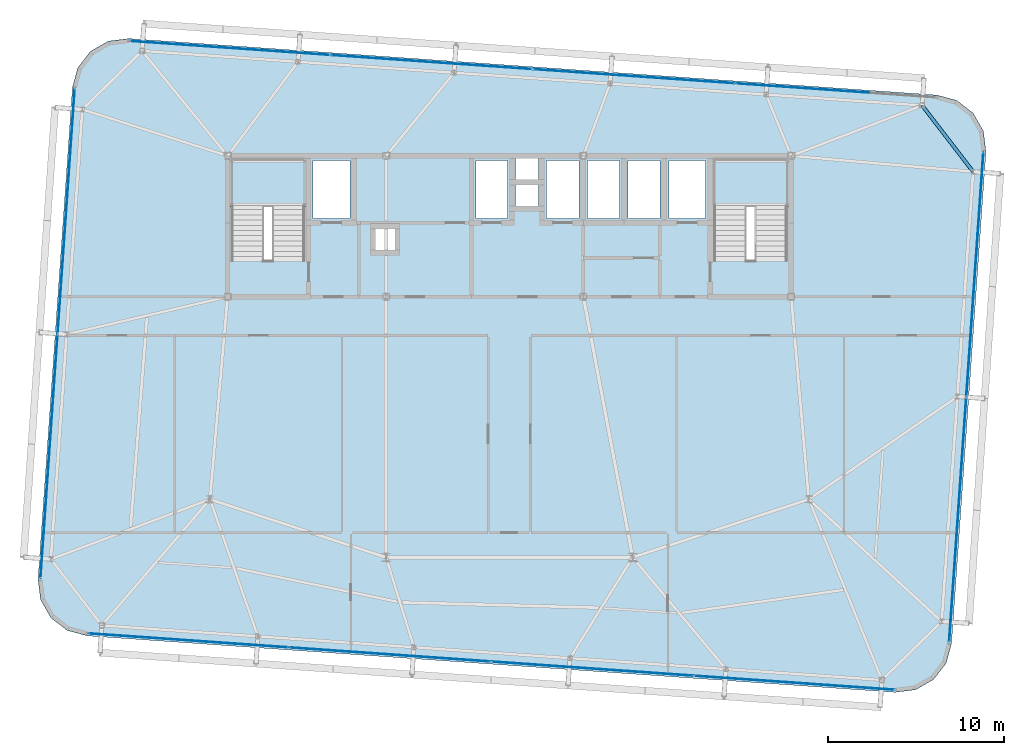
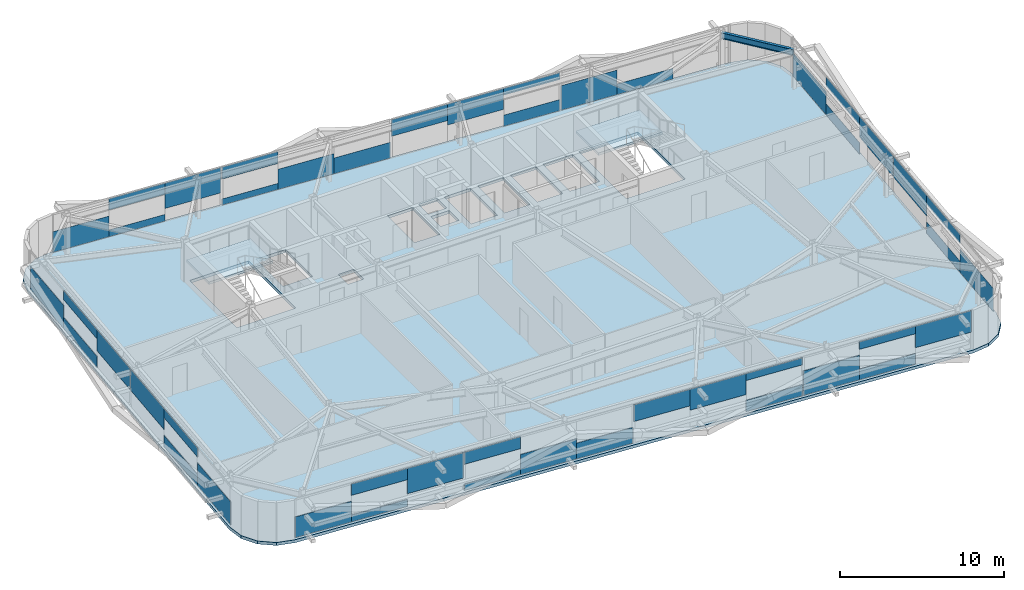
# One storey, part 25 of 39: 46 plates, 3 slabs, 1 beam, 6 elements without a shape of their own.
"""IFC4 building model written with IfcOpenShell, lengths in metres."""

from ifc_helpers import new_model, si_unit, direction, frame, origin, origin_2d, place, context, subcontext, project, spatial, polyline, rectangle, i_section, outline, extrude, source, transform, mapped, material, layer, layer_set, material_profile, profile_set, type_object, element, aggregate, save


model = new_model("IFC4")

# Units and contexts
model_context = context("Model", 3, precision=1e-05, world=origin(), true_north=direction((0.0, 1.0)))
body_context = subcontext(model_context, "Body", "Model", "MODEL_VIEW")
ifc_project = project(units=[si_unit("LENGTHUNIT", "METRE"), si_unit("AREAUNIT", "SQUARE_METRE"), si_unit("VOLUMEUNIT", "CUBIC_METRE"), si_unit("PLANEANGLEUNIT", "RADIAN"), si_unit("MASSUNIT", "GRAM", prefix="KILO")], contexts=[model_context])

# Site, building, storey
site_placement = place(None, origin())
site = spatial("IfcSite", under=ifc_project, at=site_placement, CompositionType="ELEMENT")
building_placement = place(site_placement, origin())
building = spatial("IfcBuilding", under=site, at=building_placement, Name="Taldren Reach Tower", CompositionType="ELEMENT")
storey_placement = place(building_placement, frame((0.0, 0.0, 129.85009765625)))
storey = spatial("IfcBuildingStorey", under=building, at=storey_placement, Name="L39", CompositionType="ELEMENT", Elevation=129.85009765625)

# Beam
ifc_material_1 = material(Name="Steel Gr 350 (350PLUS)", Category="steel")
ifc_material_profile = material_profile(ifc_material_1, i_section(OverallWidth=0.18994140625, OverallDepth=0.4541015625, WebThickness=0.008544921875, FlangeThickness=0.0126953125, at=origin_2d()), Name="460UB67.1")
ifc_profile_set = profile_set([ifc_material_profile], Name="Steel Gr 350 (350PLUS)")
beam_type = type_object("IfcBeamType", Name="SP-UB460B", PredefinedType="SPANDREL", material=ifc_profile_set)
shared_shape_1 = source(origin(), body_context, "Body", "SweptSolid", [
    extrude(i_section(OverallWidth=0.18994140625, OverallDepth=0.4541015625, WebThickness=0.008544921875, FlangeThickness=0.0126953125, at=origin_2d()), origin(), (0.0, 0.0, 1.0), 4.745849609375),
])
beam_placement = place(storey_placement, frame((61.3310546875, 31.1005859375, 2.702880859375), z_axis=(-0.609904656723, 0.792474800677, 0.0), x_axis=(-0.792474800677, -0.609904656723, 0.0)))
element("IfcBeam", 1, at=beam_placement, inside=storey, type_object=beam_type, Name="Perimeter spandrel B3 E3-N6 L39", PredefinedType="SPANDREL", context=body_context, shape_type="MappedRepresentation", body=[
    mapped(shared_shape_1, transform((0.0, 0.0, 0.0), scale=1.0)),
])

# Slab
ifc_material_2 = material(Name="Concrete N40 (40 MPa)", Category="concrete")
ifc_layer_1 = layer(ifc_material_2, 0.219970703125)
ifc_layer_set_1 = layer_set([ifc_layer_1], Name="Concrete N40 (40 MPa)")
slab_type_1 = type_object("IfcSlabType", Name="SL-FLR-220", PredefinedType="FLOOR", material=ifc_layer_set_1)
slab_1_placement = place(storey_placement, frame((0.0, 0.0, -0.22021484375)))
element("IfcSlab", 2, at=slab_1_placement, inside=storey, type_object=slab_type_1, Name="Suspended floor slab L39", PredefinedType="FLOOR", context=body_context, shape_type="SweptSolid", body=[
    extrude(outline(polyline([(56.908203125, 1.537109375), (58.0693359375, 1.684814453125), (59.08544921875, 2.265625), (59.80224609375, 3.191162109375), (60.110107421875, 4.320556640625), (62.063232421875, 32.252197265625), (61.91552734375, 33.413330078125), (61.334716796875, 34.4296875), (60.4091796875, 35.146240234375), (59.27978515625, 35.4541015625), (13.391845703125, 38.6630859375), (12.230712890625, 38.515380859375), (11.21435546875, 37.934326171875), (10.497802734375, 37.0087890625), (10.18994140625, 35.879638671875), (8.23681640625, 7.94775390625), (8.384521484375, 6.78662109375), (8.96533203125, 5.770263671875), (9.890869140625, 5.0537109375), (11.020263671875, 4.745849609375), (56.908203125, 1.537109375)]), holes=[polyline([(19.219970703125, 26.050048828125), (23.3798828125, 26.050048828125), (23.3798828125, 31.820068359375), (19.219970703125, 31.820068359375), (19.219970703125, 26.050048828125)]), polyline([(46.6201171875, 26.050048828125), (50.780029296875, 26.050048828125), (50.780029296875, 31.820068359375), (46.6201171875, 31.820068359375), (46.6201171875, 26.050048828125)]), polyline([(23.85009765625, 28.449951171875), (25.949951171875, 28.449951171875), (25.949951171875, 31.75), (23.85009765625, 31.75), (23.85009765625, 28.449951171875)]), polyline([(44.050048828125, 28.449951171875), (46.14990234375, 28.449951171875), (46.14990234375, 31.75), (44.050048828125, 31.75), (44.050048828125, 28.449951171875)]), polyline([(33.10009765625, 28.449951171875), (34.89990234375, 28.449951171875), (34.89990234375, 31.75), (33.10009765625, 31.75), (33.10009765625, 28.449951171875)]), polyline([(37.10009765625, 28.449951171875), (38.949951171875, 28.449951171875), (38.949951171875, 31.75), (37.10009765625, 31.75), (37.10009765625, 28.449951171875)]), polyline([(39.449951171875, 28.449951171875), (41.25, 28.449951171875), (41.25, 31.75), (39.449951171875, 31.75), (39.449951171875, 28.449951171875)]), polyline([(41.75, 28.449951171875), (43.550048828125, 28.449951171875), (43.550048828125, 31.75), (41.75, 31.75), (41.75, 28.449951171875)]), polyline([(35.35009765625, 30.64990234375), (36.64990234375, 30.64990234375), (36.64990234375, 31.85009765625), (35.35009765625, 31.85009765625), (35.35009765625, 30.64990234375)]), polyline([(35.35009765625, 29.14990234375), (36.64990234375, 29.14990234375), (36.64990234375, 30.35009765625), (35.35009765625, 30.35009765625), (35.35009765625, 29.14990234375)]), polyline([(27.39990234375, 26.64990234375), (28.5, 26.64990234375), (28.5, 27.85009765625), (27.39990234375, 27.85009765625), (27.39990234375, 26.64990234375)])]), origin(), (0.0, 0.0, 1.0), 0.22021484375),
])

# Stair, slab
ifc_material_3 = material(Name="Concrete S50 (50 MPa)", Category="concrete")
stair_type = type_object("IfcStairType", Name="ST-HT-315", PredefinedType="HALF_TURN_STAIR", material=ifc_material_3)
stair_1_placement = place(storey_placement, origin())
stair_1 = element("IfcStair", 3, at=stair_1_placement, inside=storey, type_object=stair_type, Name="Fire-isolated exit stair ST1 L39", PredefinedType="HALF_TURN_STAIR")
ifc_layer_2 = layer(ifc_material_3, 0.179931640625)
ifc_layer_set_2 = layer_set([ifc_layer_2], Name="Concrete S50 (50 MPa)")
slab_type_2 = type_object("IfcSlabType", Name="SL-LAND-180", PredefinedType="LANDING", material=ifc_layer_set_2)
slab_2_placement = place(storey_placement, frame((0.0, 0.0, 1.39501953125)))
slab_2 = element("IfcSlab", 4, at=slab_2_placement, type_object=slab_type_2, Name="ST1 landing 1", PredefinedType="LANDING", context=body_context, shape_type="SweptSolid", body=[
    extrude(outline(polyline([(19.0400390625, 29.135009765625), (23.56005859375, 29.135009765625), (23.56005859375, 31.8701171875), (19.0400390625, 31.8701171875), (19.0400390625, 29.135009765625)])), origin(), (0.0, 0.0, 1.0), 0.179931640625),
])
aggregate(stair_1, [slab_2])

stair_2_placement = place(storey_placement, origin())
stair_2 = element("IfcStair", 5, at=stair_2_placement, inside=storey, type_object=stair_type, Name="Fire-isolated exit stair ST2 L39", PredefinedType="HALF_TURN_STAIR")
slab_3_placement = place(storey_placement, frame((0.0, 0.0, 1.39501953125)))
slab_3 = element("IfcSlab", 6, at=slab_3_placement, type_object=slab_type_2, Name="ST2 landing 1", PredefinedType="LANDING", context=body_context, shape_type="SweptSolid", body=[
    extrude(outline(polyline([(46.43994140625, 29.135009765625), (50.9599609375, 29.135009765625), (50.9599609375, 31.8701171875), (46.43994140625, 31.8701171875), (46.43994140625, 29.135009765625)])), origin(), (0.0, 0.0, 1.0), 0.179931640625),
])
aggregate(stair_2, [slab_3])

# Curtain wall, plates
ifc_material_4 = material(Name="Aluminium and Low-E Glass Unitised System", Category="aluminium")
ifc_layer_3 = layer(ifc_material_4, 0.159912109375)
ifc_layer_set_3 = layer_set([ifc_layer_3], Name="Aluminium and Low-E Glass Unitised System")
curtain_wall_type = type_object("IfcCurtainWallType", Name="CW-SYS-4", PredefinedType="NOTDEFINED", material=ifc_layer_set_3)
curtain_wall_1_placement = place(storey_placement, origin())
curtain_wall_1 = element("IfcCurtainWall", 7, at=curtain_wall_1_placement, inside=storey, type_object=curtain_wall_type, Name="Unitised curtain wall CW-L39-S", PredefinedType="NOTDEFINED")
ifc_material_5 = material(Name="Solar-Control Double Glazed IGU", Category="glass")
ifc_layer_4 = layer(ifc_material_5, 0.031982421875)
ifc_layer_set_4 = layer_set([ifc_layer_4], Name="Solar-Control Double Glazed IGU")
plate_type = type_object("IfcPlateType", Name="CW-PNL-IGU32", PredefinedType="CURTAIN_PANEL", material=ifc_layer_set_4)
shared_shape_2 = source(origin(), body_context, "Body", "SweptSolid", [
    extrude(rectangle(XDim=3.79833984375, YDim=0.031982421875, at=origin_2d()), origin(), (0.0, 0.0, 1.0), 1.597900390625),
])
plate_1_placement = place(storey_placement, frame((54.95361328125, 1.81396484375, 1.27685546875), z_axis=(0.0, 0.0, 1.0), x_axis=(0.99756404731, -0.06975651593, 0.0)))
plate_1 = element("IfcPlate", 8, at=plate_1_placement, type_object=plate_type, Name="CW-4 panel 4.1 part 4", PredefinedType="CURTAIN_PANEL", context=body_context, shape_type="MappedRepresentation", body=[
    mapped(shared_shape_2, transform((0.0, 0.0, 0.0), scale=1.0)),
])
shared_shape_3 = source(origin(), body_context, "Body", "SweptSolid", [
    extrude(rectangle(XDim=3.79833984375, YDim=0.031982421875, at=origin_2d()), origin(), (0.0, 0.0, 1.0), 0.787109375),
])
plate_2_placement = place(storey_placement, frame((51.16455078125, 2.0791015625, 0.054931640625), z_axis=(0.0, 0.0, 1.0), x_axis=(0.99756404731, -0.06975651593, 0.0)))
plate_2 = element("IfcPlate", 9, at=plate_2_placement, type_object=plate_type, Name="CW-4 panel 4.1 part 2", PredefinedType="CURTAIN_PANEL", context=body_context, shape_type="MappedRepresentation", body=[
    mapped(shared_shape_3, transform((0.0, 0.0, 0.0), scale=1.0)),
])

# Curtain wall, plate
curtain_wall_2_placement = place(storey_placement, origin())
curtain_wall_2 = element("IfcCurtainWall", 10, at=curtain_wall_2_placement, inside=storey, type_object=curtain_wall_type, Name="Unitised curtain wall CW-L39-N", PredefinedType="NOTDEFINED")
plate_3_placement = place(storey_placement, frame((53.5166015625, 35.716796875, 0.054931640625), z_axis=(0.0, 0.0, 1.0), x_axis=(-0.99756404731, 0.06975651593, 0.0)))
plate_3 = element("IfcPlate", 11, at=plate_3_placement, type_object=plate_type, Name="CW-4 panel 1.1 part 2", PredefinedType="CURTAIN_PANEL", context=body_context, shape_type="MappedRepresentation", body=[
    mapped(shared_shape_3, transform((0.0, 0.0, 0.0), scale=1.0)),
])

# Plate
shared_shape_4 = source(origin(), body_context, "Body", "SweptSolid", [
    extrude(rectangle(XDim=3.79833984375, YDim=0.031982421875, at=origin_2d()), origin(), (0.0, 0.0, 1.0), 0.558349609375),
])
plate_4_placement = place(storey_placement, frame((51.16455078125, 2.0791015625, 2.31640625), z_axis=(0.0, 0.0, 1.0), x_axis=(0.99756404731, -0.06975651593, 0.0)))
plate_4 = element("IfcPlate", 12, at=plate_4_placement, type_object=plate_type, Name="CW-4 panel 4.1 part 3", PredefinedType="CURTAIN_PANEL", context=body_context, shape_type="MappedRepresentation", body=[
    mapped(shared_shape_4, transform((0.0, 0.0, 0.0), scale=1.0)),
])

shared_shape_5 = source(origin(), body_context, "Body", "SweptSolid", [
    extrude(rectangle(XDim=3.79833984375, YDim=0.031982421875, at=origin_2d()), origin(), (0.0, 0.0, 1.0), 1.826416015625),
])
plate_5_placement = place(storey_placement, frame((47.375244140625, 2.343994140625, 0.05517578125), z_axis=(0.0, 0.0, 1.0), x_axis=(0.99756404731, -0.06975651593, 0.0)))
plate_5 = element("IfcPlate", 13, at=plate_5_placement, type_object=plate_type, Name="CW-4 panel 4.1 part 1", PredefinedType="CURTAIN_PANEL", context=body_context, shape_type="MappedRepresentation", body=[
    mapped(shared_shape_5, transform((0.0, 0.0, 0.0), scale=1.0)),
])

plate_6_placement = place(storey_placement, frame((49.7275390625, 35.981689453125, 0.05517578125), z_axis=(0.0, 0.0, 1.0), x_axis=(-0.99756404731, 0.06975651593, 0.0)))
plate_6 = element("IfcPlate", 14, at=plate_6_placement, type_object=plate_type, Name="CW-4 panel 1.1 part 4", PredefinedType="CURTAIN_PANEL", context=body_context, shape_type="MappedRepresentation", body=[
    mapped(shared_shape_5, transform((0.0, 0.0, 0.0), scale=1.0)),
])

shared_shape_6 = source(origin(), body_context, "Body", "SweptSolid", [
    extrude(rectangle(XDim=3.81005859375, YDim=0.031982421875, at=origin_2d()), origin(), (0.0, 0.0, 1.0), 0.8271484375),
])
plate_7_placement = place(storey_placement, frame((43.510498046875, 2.6142578125, 0.054931640625), z_axis=(0.0, 0.0, 1.0), x_axis=(0.99756404731, -0.06975651593, 0.0)))
plate_7 = element("IfcPlate", 15, at=plate_7_placement, type_object=plate_type, Name="CW-4 panel 3.1 part 3", PredefinedType="CURTAIN_PANEL", context=body_context, shape_type="MappedRepresentation", body=[
    mapped(shared_shape_6, transform((0.0, 0.0, 0.0), scale=1.0)),
])

plate_8_placement = place(storey_placement, frame((45.86279296875, 36.251953125, 0.054931640625), z_axis=(0.0, 0.0, 1.0), x_axis=(-0.99756404731, 0.06975651593, 0.0)))
plate_8 = element("IfcPlate", 16, at=plate_8_placement, type_object=plate_type, Name="CW-4 panel 2.1 part 1", PredefinedType="CURTAIN_PANEL", context=body_context, shape_type="MappedRepresentation", body=[
    mapped(shared_shape_6, transform((0.0, 0.0, 0.0), scale=1.0)),
])

shared_shape_7 = source(origin(), body_context, "Body", "SweptSolid", [
    extrude(rectangle(XDim=3.81005859375, YDim=0.031982421875, at=origin_2d()), origin(), (0.0, 0.0, 1.0), 0.51513671875),
])
plate_9_placement = place(storey_placement, frame((43.510498046875, 2.6142578125, 2.35986328125), z_axis=(0.0, 0.0, 1.0), x_axis=(0.99756404731, -0.06975651593, 0.0)))
plate_9 = element("IfcPlate", 17, at=plate_9_placement, type_object=plate_type, Name="CW-4 panel 3.1 part 4", PredefinedType="CURTAIN_PANEL", context=body_context, shape_type="MappedRepresentation", body=[
    mapped(shared_shape_7, transform((0.0, 0.0, 0.0), scale=1.0)),
])

plate_10_placement = place(storey_placement, frame((45.86279296875, 36.251953125, 2.35986328125), z_axis=(0.0, 0.0, 1.0), x_axis=(-0.99756404731, 0.06975651593, 0.0)))
plate_10 = element("IfcPlate", 18, at=plate_10_placement, type_object=plate_type, Name="CW-4 panel 2.1 part 2", PredefinedType="CURTAIN_PANEL", context=body_context, shape_type="MappedRepresentation", body=[
    mapped(shared_shape_7, transform((0.0, 0.0, 0.0), scale=1.0)),
])

shared_shape_8 = source(origin(), body_context, "Body", "SweptSolid", [
    extrude(rectangle(XDim=3.81005859375, YDim=0.031982421875, at=origin_2d()), origin(), (0.0, 0.0, 1.0), 1.5576171875),
])
plate_11_placement = place(storey_placement, frame((39.7099609375, 2.8798828125, 1.317138671875), z_axis=(0.0, 0.0, 1.0), x_axis=(0.99756404731, -0.06975651593, 0.0)))
plate_11 = element("IfcPlate", 19, at=plate_11_placement, type_object=plate_type, Name="CW-4 panel 3.1 part 2", PredefinedType="CURTAIN_PANEL", context=body_context, shape_type="MappedRepresentation", body=[
    mapped(shared_shape_8, transform((0.0, 0.0, 0.0), scale=1.0)),
])

plate_12_placement = place(storey_placement, frame((42.06201171875, 36.517822265625, 1.317138671875), z_axis=(0.0, 0.0, 1.0), x_axis=(-0.99756404731, 0.06975651593, 0.0)))
plate_12 = element("IfcPlate", 20, at=plate_12_placement, type_object=plate_type, Name="CW-4 panel 2.1 part 3", PredefinedType="CURTAIN_PANEL", context=body_context, shape_type="MappedRepresentation", body=[
    mapped(shared_shape_8, transform((0.0, 0.0, 0.0), scale=1.0)),
])

shared_shape_9 = source(origin(), body_context, "Body", "SweptSolid", [
    extrude(rectangle(XDim=3.81005859375, YDim=0.031982421875, at=origin_2d()), origin(), (0.0, 0.0, 1.0), 1.23193359375),
])
plate_13_placement = place(storey_placement, frame((35.9091796875, 3.145751953125, 1.642822265625), z_axis=(0.0, 0.0, 1.0), x_axis=(0.99756404731, -0.06975651593, 0.0)))
plate_13 = element("IfcPlate", 21, at=plate_13_placement, type_object=plate_type, Name="CW-4 panel 3.1 part 1", PredefinedType="CURTAIN_PANEL", context=body_context, shape_type="MappedRepresentation", body=[
    mapped(shared_shape_9, transform((0.0, 0.0, 0.0), scale=1.0)),
])

plate_14_placement = place(storey_placement, frame((38.261474609375, 36.78369140625, 1.642822265625), z_axis=(0.0, 0.0, 1.0), x_axis=(-0.99756404731, 0.06975651593, 0.0)))
plate_14 = element("IfcPlate", 22, at=plate_14_placement, type_object=plate_type, Name="CW-4 panel 2.1 part 4", PredefinedType="CURTAIN_PANEL", context=body_context, shape_type="MappedRepresentation", body=[
    mapped(shared_shape_9, transform((0.0, 0.0, 0.0), scale=1.0)),
])

shared_shape_10 = source(origin(), body_context, "Body", "SweptSolid", [
    extrude(rectangle(XDim=3.81005859375, YDim=0.031982421875, at=origin_2d()), origin(), (0.0, 0.0, 1.0), 1.172119140625),
])
plate_15_placement = place(storey_placement, frame((32.03857421875, 3.41650390625, 0.0546875), z_axis=(0.0, 0.0, 1.0), x_axis=(0.99756404731, -0.06975651593, 0.0)))
plate_15 = element("IfcPlate", 23, at=plate_15_placement, type_object=plate_type, Name="CW-4 panel 2.1 part 4", PredefinedType="CURTAIN_PANEL", context=body_context, shape_type="MappedRepresentation", body=[
    mapped(shared_shape_10, transform((0.0, 0.0, 0.0), scale=1.0)),
])

plate_16_placement = place(storey_placement, frame((34.390869140625, 37.05419921875, 0.0546875), z_axis=(0.0, 0.0, 1.0), x_axis=(-0.99756404731, 0.06975651593, 0.0)))
plate_16 = element("IfcPlate", 24, at=plate_16_placement, type_object=plate_type, Name="CW-4 panel 3.1 part 1", PredefinedType="CURTAIN_PANEL", context=body_context, shape_type="MappedRepresentation", body=[
    mapped(shared_shape_10, transform((0.0, 0.0, 0.0), scale=1.0)),
])

shared_shape_11 = source(origin(), body_context, "Body", "SweptSolid", [
    extrude(rectangle(XDim=3.81005859375, YDim=0.031982421875, at=origin_2d()), origin(), (0.0, 0.0, 1.0), 1.497802734375),
])
plate_17_placement = place(storey_placement, frame((28.23779296875, 3.68212890625, 0.0546875), z_axis=(0.0, 0.0, 1.0), x_axis=(0.99756404731, -0.06975651593, 0.0)))
plate_17 = element("IfcPlate", 25, at=plate_17_placement, type_object=plate_type, Name="CW-4 panel 2.1 part 3", PredefinedType="CURTAIN_PANEL", context=body_context, shape_type="MappedRepresentation", body=[
    mapped(shared_shape_11, transform((0.0, 0.0, 0.0), scale=1.0)),
])

plate_18_placement = place(storey_placement, frame((30.590087890625, 37.320068359375, 0.0546875), z_axis=(0.0, 0.0, 1.0), x_axis=(-0.99756404731, 0.06975651593, 0.0)))
plate_18 = element("IfcPlate", 26, at=plate_18_placement, type_object=plate_type, Name="CW-4 panel 3.1 part 2", PredefinedType="CURTAIN_PANEL", context=body_context, shape_type="MappedRepresentation", body=[
    mapped(shared_shape_11, transform((0.0, 0.0, 0.0), scale=1.0)),
])

shared_shape_12 = source(origin(), body_context, "Body", "SweptSolid", [
    extrude(rectangle(XDim=3.81005859375, YDim=0.031982421875, at=origin_2d()), origin(), (0.0, 0.0, 1.0), 0.455078125),
])
plate_19_placement = place(storey_placement, frame((24.437255859375, 3.947998046875, 0.054931640625), z_axis=(0.0, 0.0, 1.0), x_axis=(0.99756404731, -0.06975651593, 0.0)))
plate_19 = element("IfcPlate", 27, at=plate_19_placement, type_object=plate_type, Name="CW-4 panel 2.1 part 1", PredefinedType="CURTAIN_PANEL", context=body_context, shape_type="MappedRepresentation", body=[
    mapped(shared_shape_12, transform((0.0, 0.0, 0.0), scale=1.0)),
])

plate_20_placement = place(storey_placement, frame((26.789306640625, 37.585693359375, 0.054931640625), z_axis=(0.0, 0.0, 1.0), x_axis=(-0.99756404731, 0.06975651593, 0.0)))
plate_20 = element("IfcPlate", 28, at=plate_20_placement, type_object=plate_type, Name="CW-4 panel 3.1 part 3", PredefinedType="CURTAIN_PANEL", context=body_context, shape_type="MappedRepresentation", body=[
    mapped(shared_shape_12, transform((0.0, 0.0, 0.0), scale=1.0)),
])

shared_shape_13 = source(origin(), body_context, "Body", "SweptSolid", [
    extrude(rectangle(XDim=3.81005859375, YDim=0.031982421875, at=origin_2d()), origin(), (0.0, 0.0, 1.0), 0.88720703125),
])
plate_21_placement = place(storey_placement, frame((24.437255859375, 3.947998046875, 1.98779296875), z_axis=(0.0, 0.0, 1.0), x_axis=(0.99756404731, -0.06975651593, 0.0)))
plate_21 = element("IfcPlate", 29, at=plate_21_placement, type_object=plate_type, Name="CW-4 panel 2.1 part 2", PredefinedType="CURTAIN_PANEL", context=body_context, shape_type="MappedRepresentation", body=[
    mapped(shared_shape_13, transform((0.0, 0.0, 0.0), scale=1.0)),
])

plate_22_placement = place(storey_placement, frame((26.789306640625, 37.585693359375, 1.98779296875), z_axis=(0.0, 0.0, 1.0), x_axis=(-0.99756404731, 0.06975651593, 0.0)))
plate_22 = element("IfcPlate", 30, at=plate_22_placement, type_object=plate_type, Name="CW-4 panel 3.1 part 4", PredefinedType="CURTAIN_PANEL", context=body_context, shape_type="MappedRepresentation", body=[
    mapped(shared_shape_13, transform((0.0, 0.0, 0.0), scale=1.0)),
])

shared_shape_14 = source(origin(), body_context, "Body", "SweptSolid", [
    extrude(rectangle(XDim=3.79833984375, YDim=0.031982421875, at=origin_2d()), origin(), (0.0, 0.0, 1.0), 1.886474609375),
])
plate_23_placement = place(storey_placement, frame((20.572509765625, 4.21826171875, 0.98828125), z_axis=(0.0, 0.0, 1.0), x_axis=(0.99756404731, -0.06975651593, 0.0)))
plate_23 = element("IfcPlate", 31, at=plate_23_placement, type_object=plate_type, Name="CW-4 panel 1.1 part 4", PredefinedType="CURTAIN_PANEL", context=body_context, shape_type="MappedRepresentation", body=[
    mapped(shared_shape_14, transform((0.0, 0.0, 0.0), scale=1.0)),
])

plate_24_placement = place(storey_placement, frame((22.924560546875, 37.85595703125, 0.98828125), z_axis=(0.0, 0.0, 1.0), x_axis=(-0.99756404731, 0.06975651593, 0.0)))
plate_24 = element("IfcPlate", 32, at=plate_24_placement, type_object=plate_type, Name="CW-4 panel 4.1 part 1", PredefinedType="CURTAIN_PANEL", context=body_context, shape_type="MappedRepresentation", body=[
    mapped(shared_shape_14, transform((0.0, 0.0, 0.0), scale=1.0)),
])

shared_shape_15 = source(origin(), body_context, "Body", "SweptSolid", [
    extrude(rectangle(XDim=3.79833984375, YDim=0.031982421875, at=origin_2d()), origin(), (0.0, 0.0, 1.0), 0.498291015625),
])
plate_25_placement = place(storey_placement, frame((16.783447265625, 4.483154296875, 0.05517578125), z_axis=(0.0, 0.0, 1.0), x_axis=(0.99756404731, -0.06975651593, 0.0)))
plate_25 = element("IfcPlate", 33, at=plate_25_placement, type_object=plate_type, Name="CW-4 panel 1.1 part 2", PredefinedType="CURTAIN_PANEL", context=body_context, shape_type="MappedRepresentation", body=[
    mapped(shared_shape_15, transform((0.0, 0.0, 0.0), scale=1.0)),
])

plate_26_placement = place(storey_placement, frame((19.135498046875, 38.12109375, 0.05517578125), z_axis=(0.0, 0.0, 1.0), x_axis=(-0.99756404731, 0.06975651593, 0.0)))
plate_26 = element("IfcPlate", 34, at=plate_26_placement, type_object=plate_type, Name="CW-4 panel 4.1 part 2", PredefinedType="CURTAIN_PANEL", context=body_context, shape_type="MappedRepresentation", body=[
    mapped(shared_shape_15, transform((0.0, 0.0, 0.0), scale=1.0)),
])

shared_shape_16 = source(origin(), body_context, "Body", "SweptSolid", [
    extrude(rectangle(XDim=3.79833984375, YDim=0.031982421875, at=origin_2d()), origin(), (0.0, 0.0, 1.0), 0.84716796875),
])
plate_27_placement = place(storey_placement, frame((16.783447265625, 4.483154296875, 2.02783203125), z_axis=(0.0, 0.0, 1.0), x_axis=(0.99756404731, -0.06975651593, 0.0)))
plate_27 = element("IfcPlate", 35, at=plate_27_placement, type_object=plate_type, Name="CW-4 panel 1.1 part 3", PredefinedType="CURTAIN_PANEL", context=body_context, shape_type="MappedRepresentation", body=[
    mapped(shared_shape_16, transform((0.0, 0.0, 0.0), scale=1.0)),
])

plate_28_placement = place(storey_placement, frame((19.135498046875, 38.12109375, 2.02783203125), z_axis=(0.0, 0.0, 1.0), x_axis=(-0.99756404731, 0.06975651593, 0.0)))
plate_28 = element("IfcPlate", 36, at=plate_28_placement, type_object=plate_type, Name="CW-4 panel 4.1 part 3", PredefinedType="CURTAIN_PANEL", context=body_context, shape_type="MappedRepresentation", body=[
    mapped(shared_shape_16, transform((0.0, 0.0, 0.0), scale=1.0)),
])

shared_shape_17 = source(origin(), body_context, "Body", "SweptSolid", [
    extrude(rectangle(XDim=3.79833984375, YDim=0.031982421875, at=origin_2d()), origin(), (0.0, 0.0, 1.0), 1.537841796875),
])
plate_29_placement = place(storey_placement, frame((12.994384765625, 4.748046875, 0.0546875), z_axis=(0.0, 0.0, 1.0), x_axis=(0.99756404731, -0.06975651593, 0.0)))
plate_29 = element("IfcPlate", 37, at=plate_29_placement, type_object=plate_type, Name="CW-4 panel 1.1 part 1", PredefinedType="CURTAIN_PANEL", context=body_context, shape_type="MappedRepresentation", body=[
    mapped(shared_shape_17, transform((0.0, 0.0, 0.0), scale=1.0)),
])

aggregate(curtain_wall_1, [plate_29, plate_25, plate_27, plate_23, plate_19, plate_21, plate_17, plate_15, plate_13, plate_11, plate_7, plate_9, plate_5, plate_2, plate_4, plate_1])

plate_30_placement = place(storey_placement, frame((15.346435546875, 38.385986328125, 0.0546875), z_axis=(0.0, 0.0, 1.0), x_axis=(-0.99756404731, 0.06975651593, 0.0)))
plate_30 = element("IfcPlate", 38, at=plate_30_placement, type_object=plate_type, Name="CW-4 panel 4.1 part 4", PredefinedType="CURTAIN_PANEL", context=body_context, shape_type="MappedRepresentation", body=[
    mapped(shared_shape_17, transform((0.0, 0.0, 0.0), scale=1.0)),
])

aggregate(curtain_wall_2, [plate_3, plate_6, plate_8, plate_10, plate_12, plate_14, plate_16, plate_18, plate_20, plate_22, plate_24, plate_26, plate_28, plate_30])

# Curtain wall, plates
curtain_wall_3_placement = place(storey_placement, origin())
curtain_wall_3 = element("IfcCurtainWall", 39, at=curtain_wall_3_placement, inside=storey, type_object=curtain_wall_type, Name="Unitised curtain wall CW-L39-W", PredefinedType="NOTDEFINED")
shared_shape_18 = source(origin(), body_context, "Body", "SweptSolid", [
    extrude(rectangle(XDim=4.631591796875, YDim=0.031982421875, at=origin_2d()), origin(), (0.0, 0.0, 1.0), 1.716552734375),
])
plate_31_placement = place(storey_placement, frame((10.1630859375, 33.48974609375, 0.0546875), z_axis=(0.0, 0.0, 1.0), x_axis=(-0.069756437251, -0.997564052812, 0.0)))
plate_31 = element("IfcPlate", 40, at=plate_31_placement, type_object=plate_type, Name="CW-4 panel 1.1 part 1", PredefinedType="CURTAIN_PANEL", context=body_context, shape_type="MappedRepresentation", body=[
    mapped(shared_shape_18, transform((0.0, 0.0, 0.0), scale=1.0)),
])
plate_32_placement = place(storey_placement, frame((8.542724609375, 10.318115234375, 0.0546875), z_axis=(0.0, 0.0, 1.0), x_axis=(-0.069756437251, -0.997564052812, 0.0)))
plate_32 = element("IfcPlate", 41, at=plate_32_placement, type_object=plate_type, Name="CW-4 panel 2.1 part 4", PredefinedType="CURTAIN_PANEL", context=body_context, shape_type="MappedRepresentation", body=[
    mapped(shared_shape_18, transform((0.0, 0.0, 0.0), scale=1.0)),
])

curtain_wall_4_placement = place(storey_placement, origin())
curtain_wall_4 = element("IfcCurtainWall", 42, at=curtain_wall_4_placement, inside=storey, type_object=curtain_wall_type, Name="Unitised curtain wall CW-L39-E", PredefinedType="NOTDEFINED")
plate_33_placement = place(storey_placement, frame((60.136962890625, 6.710205078125, 0.0546875), z_axis=(0.0, 0.0, 1.0), x_axis=(0.069756437251, 0.997564052812, 0.0)))
plate_33 = element("IfcPlate", 43, at=plate_33_placement, type_object=plate_type, Name="CW-4 panel 1.1 part 1", PredefinedType="CURTAIN_PANEL", context=body_context, shape_type="MappedRepresentation", body=[
    mapped(shared_shape_18, transform((0.0, 0.0, 0.0), scale=1.0)),
])
plate_34_placement = place(storey_placement, frame((61.757080078125, 29.882080078125, 0.0546875), z_axis=(0.0, 0.0, 1.0), x_axis=(0.069756437251, 0.997564052812, 0.0)))
plate_34 = element("IfcPlate", 44, at=plate_34_placement, type_object=plate_type, Name="CW-4 panel 2.1 part 4", PredefinedType="CURTAIN_PANEL", context=body_context, shape_type="MappedRepresentation", body=[
    mapped(shared_shape_18, transform((0.0, 0.0, 0.0), scale=1.0)),
])

# Plate
shared_shape_19 = source(origin(), body_context, "Body", "SweptSolid", [
    extrude(rectangle(XDim=4.631591796875, YDim=0.031982421875, at=origin_2d()), origin(), (0.0, 0.0, 1.0), 0.837158203125),
])
plate_35_placement = place(storey_placement, frame((9.840087890625, 28.869384765625, 0.05517578125), z_axis=(0.0, 0.0, 1.0), x_axis=(-0.069756437251, -0.997564052812, 0.0)))
plate_35 = element("IfcPlate", 45, at=plate_35_placement, type_object=plate_type, Name="CW-4 panel 1.1 part 2", PredefinedType="CURTAIN_PANEL", context=body_context, shape_type="MappedRepresentation", body=[
    mapped(shared_shape_19, transform((0.0, 0.0, 0.0), scale=1.0)),
])

plate_36_placement = place(storey_placement, frame((8.865966796875, 14.9384765625, 0.05517578125), z_axis=(0.0, 0.0, 1.0), x_axis=(-0.069756437251, -0.997564052812, 0.0)))
plate_36 = element("IfcPlate", 46, at=plate_36_placement, type_object=plate_type, Name="CW-4 panel 2.1 part 2", PredefinedType="CURTAIN_PANEL", context=body_context, shape_type="MappedRepresentation", body=[
    mapped(shared_shape_19, transform((0.0, 0.0, 0.0), scale=1.0)),
])

plate_37_placement = place(storey_placement, frame((60.4599609375, 11.33056640625, 0.05517578125), z_axis=(0.0, 0.0, 1.0), x_axis=(0.069756437251, 0.997564052812, 0.0)))
plate_37 = element("IfcPlate", 47, at=plate_37_placement, type_object=plate_type, Name="CW-4 panel 1.1 part 2", PredefinedType="CURTAIN_PANEL", context=body_context, shape_type="MappedRepresentation", body=[
    mapped(shared_shape_19, transform((0.0, 0.0, 0.0), scale=1.0)),
])

plate_38_placement = place(storey_placement, frame((61.43408203125, 25.261474609375, 0.05517578125), z_axis=(0.0, 0.0, 1.0), x_axis=(0.069756437251, 0.997564052812, 0.0)))
plate_38 = element("IfcPlate", 48, at=plate_38_placement, type_object=plate_type, Name="CW-4 panel 2.1 part 2", PredefinedType="CURTAIN_PANEL", context=body_context, shape_type="MappedRepresentation", body=[
    mapped(shared_shape_19, transform((0.0, 0.0, 0.0), scale=1.0)),
])

shared_shape_20 = source(origin(), body_context, "Body", "SweptSolid", [
    extrude(rectangle(XDim=4.631591796875, YDim=0.031982421875, at=origin_2d()), origin(), (0.0, 0.0, 1.0), 0.676025390625),
])
plate_39_placement = place(storey_placement, frame((9.840087890625, 28.869384765625, 2.19873046875), z_axis=(0.0, 0.0, 1.0), x_axis=(-0.069756437251, -0.997564052812, 0.0)))
plate_39 = element("IfcPlate", 49, at=plate_39_placement, type_object=plate_type, Name="CW-4 panel 1.1 part 3", PredefinedType="CURTAIN_PANEL", context=body_context, shape_type="MappedRepresentation", body=[
    mapped(shared_shape_20, transform((0.0, 0.0, 0.0), scale=1.0)),
])

plate_40_placement = place(storey_placement, frame((8.865966796875, 14.9384765625, 2.19873046875), z_axis=(0.0, 0.0, 1.0), x_axis=(-0.069756437251, -0.997564052812, 0.0)))
plate_40 = element("IfcPlate", 50, at=plate_40_placement, type_object=plate_type, Name="CW-4 panel 2.1 part 3", PredefinedType="CURTAIN_PANEL", context=body_context, shape_type="MappedRepresentation", body=[
    mapped(shared_shape_20, transform((0.0, 0.0, 0.0), scale=1.0)),
])

plate_41_placement = place(storey_placement, frame((60.4599609375, 11.33056640625, 2.19873046875), z_axis=(0.0, 0.0, 1.0), x_axis=(0.069756437251, 0.997564052812, 0.0)))
plate_41 = element("IfcPlate", 51, at=plate_41_placement, type_object=plate_type, Name="CW-4 panel 1.1 part 3", PredefinedType="CURTAIN_PANEL", context=body_context, shape_type="MappedRepresentation", body=[
    mapped(shared_shape_20, transform((0.0, 0.0, 0.0), scale=1.0)),
])

plate_42_placement = place(storey_placement, frame((61.43408203125, 25.261474609375, 2.19873046875), z_axis=(0.0, 0.0, 1.0), x_axis=(0.069756437251, 0.997564052812, 0.0)))
plate_42 = element("IfcPlate", 52, at=plate_42_placement, type_object=plate_type, Name="CW-4 panel 2.1 part 3", PredefinedType="CURTAIN_PANEL", context=body_context, shape_type="MappedRepresentation", body=[
    mapped(shared_shape_20, transform((0.0, 0.0, 0.0), scale=1.0)),
])

shared_shape_21 = source(origin(), body_context, "Body", "SweptSolid", [
    extrude(rectangle(XDim=4.631591796875, YDim=0.031982421875, at=origin_2d()), origin(), (0.0, 0.0, 1.0), 1.555419921875),
])
plate_43_placement = place(storey_placement, frame((9.51708984375, 24.2490234375, 1.3193359375), z_axis=(0.0, 0.0, 1.0), x_axis=(-0.069756437251, -0.997564052812, 0.0)))
plate_43 = element("IfcPlate", 53, at=plate_43_placement, type_object=plate_type, Name="CW-4 panel 1.1 part 4", PredefinedType="CURTAIN_PANEL", context=body_context, shape_type="MappedRepresentation", body=[
    mapped(shared_shape_21, transform((0.0, 0.0, 0.0), scale=1.0)),
])

plate_44_placement = place(storey_placement, frame((9.18896484375, 19.558837890625, 1.3193359375), z_axis=(0.0, 0.0, 1.0), x_axis=(-0.069756437251, -0.997564052812, 0.0)))
plate_44 = element("IfcPlate", 54, at=plate_44_placement, type_object=plate_type, Name="CW-4 panel 2.1 part 1", PredefinedType="CURTAIN_PANEL", context=body_context, shape_type="MappedRepresentation", body=[
    mapped(shared_shape_21, transform((0.0, 0.0, 0.0), scale=1.0)),
])

aggregate(curtain_wall_3, [plate_31, plate_35, plate_39, plate_43, plate_44, plate_36, plate_40, plate_32])

plate_45_placement = place(storey_placement, frame((60.782958984375, 15.950927734375, 1.3193359375), z_axis=(0.0, 0.0, 1.0), x_axis=(0.069756437251, 0.997564052812, 0.0)))
plate_45 = element("IfcPlate", 55, at=plate_45_placement, type_object=plate_type, Name="CW-4 panel 1.1 part 4", PredefinedType="CURTAIN_PANEL", context=body_context, shape_type="MappedRepresentation", body=[
    mapped(shared_shape_21, transform((0.0, 0.0, 0.0), scale=1.0)),
])

plate_46_placement = place(storey_placement, frame((61.111083984375, 20.64111328125, 1.3193359375), z_axis=(0.0, 0.0, 1.0), x_axis=(0.069756437251, 0.997564052812, 0.0)))
plate_46 = element("IfcPlate", 56, at=plate_46_placement, type_object=plate_type, Name="CW-4 panel 2.1 part 1", PredefinedType="CURTAIN_PANEL", context=body_context, shape_type="MappedRepresentation", body=[
    mapped(shared_shape_21, transform((0.0, 0.0, 0.0), scale=1.0)),
])

aggregate(curtain_wall_4, [plate_33, plate_37, plate_41, plate_45, plate_46, plate_38, plate_42, plate_34])

save(model, "model.ifc")
